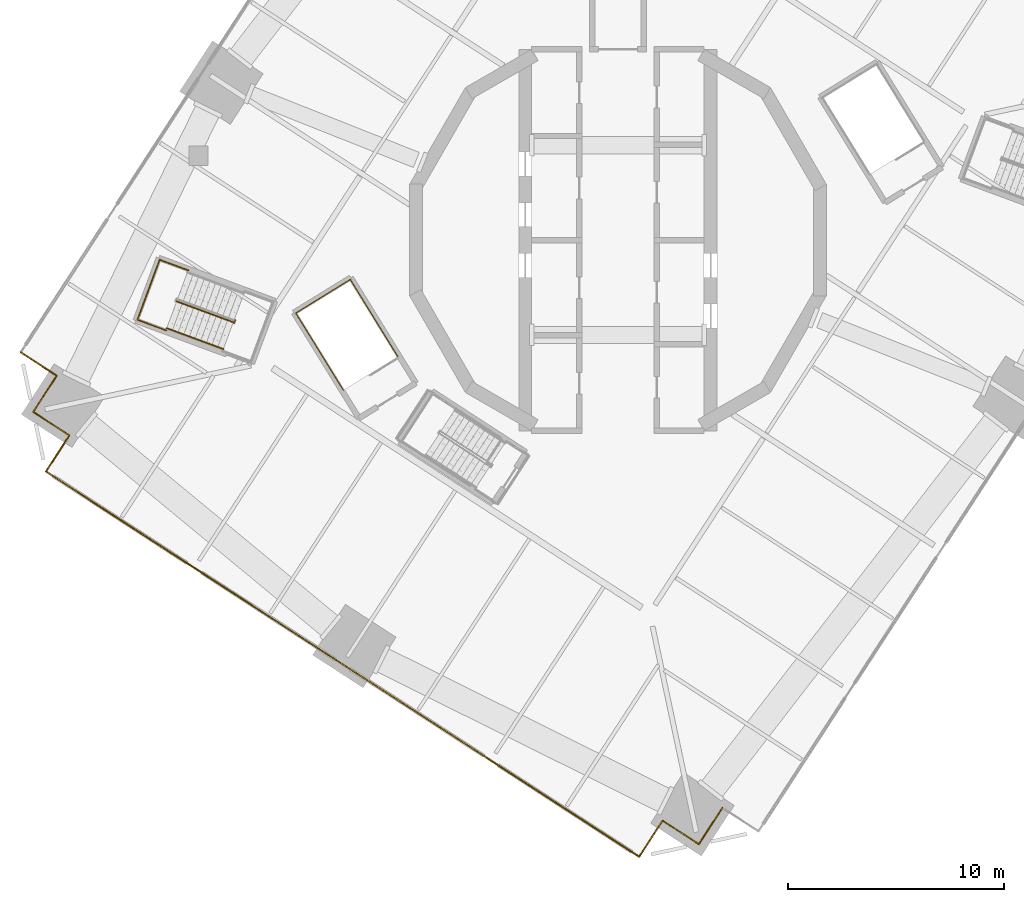
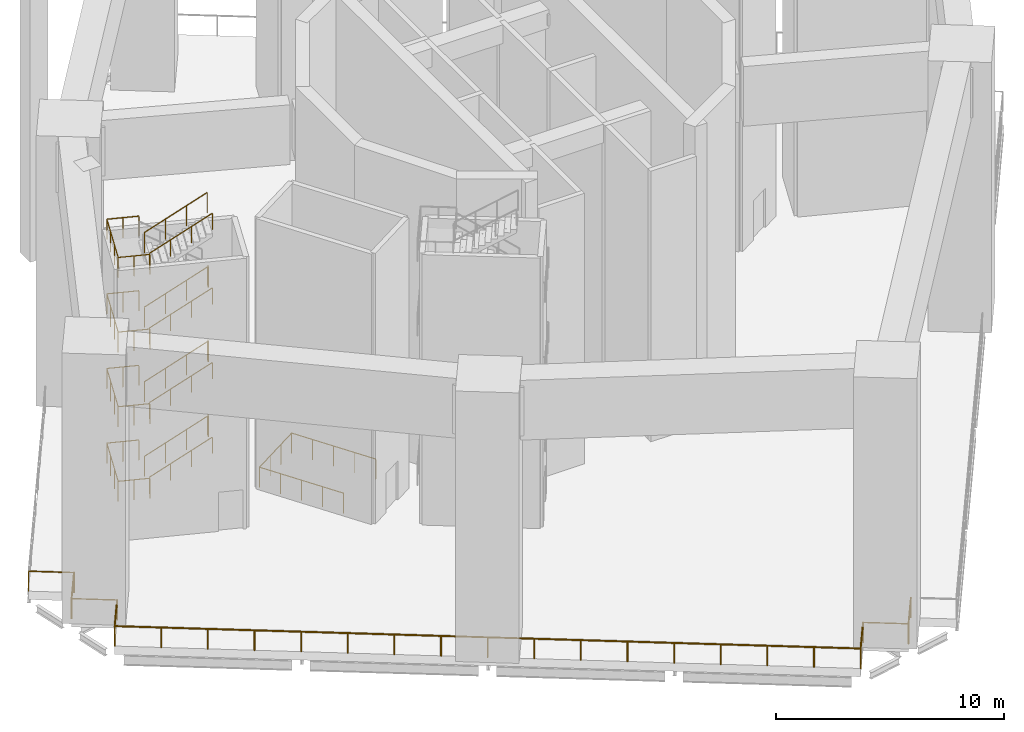
# One storey, part 10 of 16: 22 railings.
"""IFC4 building model written with IfcOpenShell, lengths in metres."""

from ifc_helpers import new_model, si_unit, direction, frame, origin, origin_2d, place, context, subcontext, project, spatial, circle, extrude, material, type_object, element, save


model = new_model("IFC4")

# Units and contexts
model_context = context("Model", 3, precision=1e-05, world=origin(), true_north=direction((0.0, 1.0)))
body_context = subcontext(model_context, "Body", "Model", "MODEL_VIEW")
ifc_project = project(units=[si_unit("LENGTHUNIT", "METRE"), si_unit("AREAUNIT", "SQUARE_METRE"), si_unit("VOLUMEUNIT", "CUBIC_METRE"), si_unit("PLANEANGLEUNIT", "RADIAN"), si_unit("MASSUNIT", "GRAM", prefix="KILO")], contexts=[model_context])

# Site, building, storey
site_placement = place(None, origin())
site = spatial("IfcSite", under=ifc_project, at=site_placement, CompositionType="ELEMENT")
building_placement = place(site_placement, origin())
building = spatial("IfcBuilding", under=site, at=building_placement, Name="Cantera Rosa Tower", CompositionType="ELEMENT")
storey_placement = place(building_placement, frame((0.0, 0.0, 290.10009765625)))
storey = spatial("IfcBuildingStorey", under=building, at=storey_placement, Name="L66", CompositionType="ELEMENT", Elevation=290.10009765625)

# Railings
ifc_material_1 = material(Name="Stainless steel and laminated glass", Category="steel")
railing_type_1 = type_object("IfcRailingType", Name="GUARD 1100", PredefinedType="BALUSTRADE", material=ifc_material_1)
railing_1_placement = place(storey_placement, frame((-27.7021484375, -5.201416015625, 0.0)))
element("IfcRailing", 1, at=railing_1_placement, inside=storey, type_object=railing_type_1, Name="PORTAL GUARD L66-8", PredefinedType="BALUSTRADE", context=body_context, shape_type="SweptSolid", body=[
    extrude(circle(Radius=0.030029296875, at=origin_2d()), frame((0.0, 0.0, 1.070068359375), z_axis=(0.838675004401, -0.544632203411, 0.0), x_axis=(0.544632203411, 0.838675004401, 0.0)), (0.0, 0.0, 1.0), 2.000244140625),
    extrude(circle(Radius=0.02490234375, at=origin_2d()), origin(), (0.0, 0.0, 1.0), 1.0400390625),
    extrude(circle(Radius=0.02490234375, at=origin_2d()), frame((1.677490234375, -1.08935546875, 0.0)), (0.0, 0.0, 1.0), 1.0400390625),
])
railing_2_placement = place(storey_placement, frame((-26.024658203125, -6.290771484375, 0.0)))
element("IfcRailing", 2, at=railing_2_placement, inside=storey, type_object=railing_type_1, Name="PORTAL GUARD L66-9", PredefinedType="BALUSTRADE", context=body_context, shape_type="SweptSolid", body=[
    extrude(circle(Radius=0.030029296875, at=origin_2d()), frame((0.0, 0.0, 1.070068359375), z_axis=(-0.54468796124, -0.838638792855, 0.0), x_axis=(0.838638792855, -0.54468796124, 0.0)), (0.0, 0.0, 1.0), 2.0),
    extrude(circle(Radius=0.02490234375, at=origin_2d()), origin(), (0.0, 0.0, 1.0), 1.0400390625),
    extrude(circle(Radius=0.02490234375, at=origin_2d()), frame((-1.08935546875, -1.67724609375, 0.0)), (0.0, 0.0, 1.0), 1.0400390625),
])
railing_3_placement = place(storey_placement, frame((-27.114013671875, -7.968017578125, 0.0)))
element("IfcRailing", 3, at=railing_3_placement, inside=storey, type_object=railing_type_1, Name="PORTAL GUARD L66-10", PredefinedType="BALUSTRADE", context=body_context, shape_type="SweptSolid", body=[
    extrude(circle(Radius=0.030029296875, at=origin_2d()), frame((0.0, 0.0, 1.070068359375), z_axis=(0.838638792855, -0.54468796124, 0.0), x_axis=(0.54468796124, 0.838638792855, 0.0)), (0.0, 0.0, 1.0), 2.0),
    extrude(circle(Radius=0.02490234375, at=origin_2d()), origin(), (0.0, 0.0, 1.0), 1.0400390625),
    extrude(circle(Radius=0.02490234375, at=origin_2d()), frame((1.67724609375, -1.08935546875, 0.0)), (0.0, 0.0, 1.0), 1.0400390625),
])
railing_4_placement = place(storey_placement, frame((-25.436767578125, -9.057373046875, 0.0)))
element("IfcRailing", 4, at=railing_4_placement, inside=storey, type_object=railing_type_1, Name="PORTAL GUARD L66-11", PredefinedType="BALUSTRADE", context=body_context, shape_type="SweptSolid", body=[
    extrude(circle(Radius=0.030029296875, at=origin_2d()), frame((0.0, 0.0, 1.070068359375), z_axis=(-0.544546340728, -0.838730757037, 0.0), x_axis=(0.838730757037, -0.544546340728, 0.0)), (0.0, 0.0, 1.0), 2.0),
    extrude(circle(Radius=0.02490234375, at=origin_2d()), origin(), (0.0, 0.0, 1.0), 1.0400390625),
    extrude(circle(Radius=0.02490234375, at=origin_2d()), frame((-1.089111328125, -1.677490234375, 0.0)), (0.0, 0.0, 1.0), 1.0400390625),
])
railing_5_placement = place(storey_placement, frame((-26.52587890625, -10.73486328125, 0.0)))
element("IfcRailing", 5, at=railing_5_placement, inside=storey, type_object=railing_type_1, Name="PORTAL GUARD L66-12", PredefinedType="BALUSTRADE", context=body_context, shape_type="SweptSolid", body=[
    extrude(circle(Radius=0.030029296875, at=origin_2d()), frame((0.0, 0.0, 1.070068359375), z_axis=(0.838677545839, -0.54462828985, 0.0), x_axis=(0.54462828985, 0.838677545839, 0.0)), (0.0, 0.0, 1.0), 8.19970703125),
    extrude(circle(Radius=0.02490234375, at=origin_2d()), origin(), (0.0, 0.0, 1.0), 1.0400390625),
    extrude(circle(Radius=0.02490234375, at=origin_2d()), frame((1.71923828125, -1.116455078125, 0.0)), (0.0, 0.0, 1.0), 1.0400390625),
    extrude(circle(Radius=0.02490234375, at=origin_2d()), frame((3.4384765625, -2.23291015625, 0.0)), (0.0, 0.0, 1.0), 1.0400390625),
    extrude(circle(Radius=0.02490234375, at=origin_2d()), frame((5.15771484375, -3.349365234375, 0.0)), (0.0, 0.0, 1.0), 1.0400390625),
    extrude(circle(Radius=0.02490234375, at=origin_2d()), frame((6.876953125, -4.4658203125, 0.0)), (0.0, 0.0, 1.0), 1.0400390625),
])
railing_6_placement = place(storey_placement, frame((-19.64892578125, -15.20068359375, 0.0)))
element("IfcRailing", 6, at=railing_6_placement, inside=storey, type_object=railing_type_1, Name="PORTAL GUARD L66-13", PredefinedType="BALUSTRADE", context=body_context, shape_type="SweptSolid", body=[
    extrude(circle(Radius=0.030029296875, at=origin_2d()), frame((0.0, 0.0, 1.070068359375), z_axis=(0.838669833889, -0.544640165361, 0.0), x_axis=(0.544640165361, 0.838669833889, 0.0)), (0.0, 0.0, 1.0), 24.60009765625),
    extrude(circle(Radius=0.02490234375, at=origin_2d()), origin(), (0.0, 0.0, 1.0), 1.0400390625),
    extrude(circle(Radius=0.02490234375, at=origin_2d()), frame((1.71923828125, -1.116455078125, 0.0)), (0.0, 0.0, 1.0), 1.0400390625),
    extrude(circle(Radius=0.02490234375, at=origin_2d()), frame((3.4384765625, -2.23291015625, 0.0)), (0.0, 0.0, 1.0), 1.0400390625),
    extrude(circle(Radius=0.02490234375, at=origin_2d()), frame((5.15771484375, -3.349609375, 0.0)), (0.0, 0.0, 1.0), 1.0400390625),
    extrude(circle(Radius=0.02490234375, at=origin_2d()), frame((6.877197265625, -4.466064453125, 0.0)), (0.0, 0.0, 1.0), 1.0400390625),
    extrude(circle(Radius=0.02490234375, at=origin_2d()), frame((8.596435546875, -5.58251953125, 0.0)), (0.0, 0.0, 1.0), 1.0400390625),
    extrude(circle(Radius=0.02490234375, at=origin_2d()), frame((10.315673828125, -6.69921875, 0.0)), (0.0, 0.0, 1.0), 1.0400390625),
    extrude(circle(Radius=0.02490234375, at=origin_2d()), frame((12.034912109375, -7.815673828125, 0.0)), (0.0, 0.0, 1.0), 1.0400390625),
    extrude(circle(Radius=0.02490234375, at=origin_2d()), frame((13.754150390625, -8.93212890625, 0.0)), (0.0, 0.0, 1.0), 1.0400390625),
    extrude(circle(Radius=0.02490234375, at=origin_2d()), frame((15.4736328125, -10.048583984375, 0.0)), (0.0, 0.0, 1.0), 1.0400390625),
    extrude(circle(Radius=0.02490234375, at=origin_2d()), frame((17.19287109375, -11.1650390625, 0.0)), (0.0, 0.0, 1.0), 1.0400390625),
    extrude(circle(Radius=0.02490234375, at=origin_2d()), frame((18.912109375, -12.28173828125, 0.0)), (0.0, 0.0, 1.0), 1.0400390625),
    extrude(circle(Radius=0.02490234375, at=origin_2d()), frame((20.63134765625, -13.398193359375, 0.0)), (0.0, 0.0, 1.0), 1.0400390625),
])
railing_7_placement = place(storey_placement, frame((0.982421875, -28.598876953125, 0.0)))
element("IfcRailing", 7, at=railing_7_placement, inside=storey, type_object=railing_type_1, Name="PORTAL GUARD L66-14", PredefinedType="BALUSTRADE", context=body_context, shape_type="SweptSolid", body=[
    extrude(circle(Radius=0.030029296875, at=origin_2d()), frame((0.0, 0.0, 1.070068359375), z_axis=(0.54468796124, 0.838638792855, 0.0), x_axis=(-0.838638792855, 0.54468796124, 0.0)), (0.0, 0.0, 1.0), 2.0),
    extrude(circle(Radius=0.02490234375, at=origin_2d()), origin(), (0.0, 0.0, 1.0), 1.0400390625),
    extrude(circle(Radius=0.02490234375, at=origin_2d()), frame((1.08935546875, 1.67724609375, 0.0)), (0.0, 0.0, 1.0), 1.0400390625),
])
railing_8_placement = place(storey_placement, frame((2.07177734375, -26.921630859375, 0.0)))
element("IfcRailing", 8, at=railing_8_placement, inside=storey, type_object=railing_type_1, Name="PORTAL GUARD L66-15", PredefinedType="BALUSTRADE", context=body_context, shape_type="SweptSolid", body=[
    extrude(circle(Radius=0.030029296875, at=origin_2d()), frame((0.0, 0.0, 1.070068359375), z_axis=(0.8386945545, -0.54460209718, 0.0), x_axis=(0.54460209718, 0.8386945545, 0.0)), (0.0, 0.0, 1.0), 1.999755859375),
    extrude(circle(Radius=0.02490234375, at=origin_2d()), origin(), (0.0, 0.0, 1.0), 1.0400390625),
    extrude(circle(Radius=0.02490234375, at=origin_2d()), frame((1.67724609375, -1.089111328125, 0.0)), (0.0, 0.0, 1.0), 1.0400390625),
])
railing_9_placement = place(storey_placement, frame((3.7490234375, -28.0107421875, 0.0)))
element("IfcRailing", 9, at=railing_9_placement, inside=storey, type_object=railing_type_1, Name="PORTAL GUARD L66-16", PredefinedType="BALUSTRADE", context=body_context, shape_type="SweptSolid", body=[
    extrude(circle(Radius=0.030029296875, at=origin_2d()), frame((0.0, 0.0, 1.070068359375), z_axis=(0.54468796124, 0.838638792855, 0.0), x_axis=(-0.838638792855, 0.54468796124, 0.0)), (0.0, 0.0, 1.0), 2.0),
    extrude(circle(Radius=0.02490234375, at=origin_2d()), origin(), (0.0, 0.0, 1.0), 1.0400390625),
    extrude(circle(Radius=0.02490234375, at=origin_2d()), frame((1.08935546875, 1.67724609375, 0.0)), (0.0, 0.0, 1.0), 1.0400390625),
])
ifc_material_2 = material(Name="Steel S355J2 (EN 10025-2)", Category="steel")
railing_type_2 = type_object("IfcRailingType", Name="STAIR GUARD 1100", PredefinedType="GUARDRAIL", material=ifc_material_2)
railing_10_placement = place(storey_placement, frame((-10.20751953125, -5.40185546875, 0.0)))
element("IfcRailing", 10, at=railing_10_placement, inside=storey, type_object=railing_type_2, Name="L66 ST-52 top well guard 2", PredefinedType="GUARDRAIL", context=body_context, shape_type="SweptSolid", body=[
    extrude(circle(Radius=0.02392578125, at=origin_2d()), frame((0.0, 0.0, 1.076171875), z_axis=(-0.524976478809, 0.851116735059, 0.0), x_axis=(-0.851116735059, -0.524976478809, 0.0)), (0.0, 0.0, 1.0), 4.197998046875),
    extrude(circle(Radius=0.02392578125, at=origin_2d()), frame((-2.203857421875, 3.572998046875, 1.076171875), z_axis=(-0.851132917336, -0.524950242429, 0.0), x_axis=(0.524950242429, -0.851132917336, 0.0)), (0.0, 0.0, 1.0), 2.969970703125),
    extrude(circle(Radius=0.02392578125, at=origin_2d()), frame((-4.731689453125, 2.013916015625, 1.076171875), z_axis=(0.524976478809, -0.851116735059, 0.0), x_axis=(0.851116735059, 0.524976478809, 0.0)), (0.0, 0.0, 1.0), 4.197998046875),
    extrude(circle(Radius=0.02099609375, at=origin_2d()), origin(), (0.0, 0.0, 1.0), 1.052001953125),
    extrude(circle(Radius=0.02099609375, at=origin_2d()), frame((-0.551025390625, 0.893310546875, 0.0)), (0.0, 0.0, 1.0), 1.052001953125),
    extrude(circle(Radius=0.02099609375, at=origin_2d()), frame((-1.10205078125, 1.78662109375, 0.0)), (0.0, 0.0, 1.0), 1.052001953125),
    extrude(circle(Radius=0.02099609375, at=origin_2d()), frame((-1.65283203125, 2.6796875, 0.0)), (0.0, 0.0, 1.0), 1.052001953125),
    extrude(circle(Radius=0.02099609375, at=origin_2d()), frame((-2.203857421875, 3.572998046875, 0.0)), (0.0, 0.0, 1.0), 1.052001953125),
    extrude(circle(Radius=0.02099609375, at=origin_2d()), frame((-3.04638671875, 3.05322265625, 0.0)), (0.0, 0.0, 1.0), 1.052001953125),
    extrude(circle(Radius=0.02099609375, at=origin_2d()), frame((-3.88916015625, 2.53369140625, 0.0)), (0.0, 0.0, 1.0), 1.052001953125),
    extrude(circle(Radius=0.02099609375, at=origin_2d()), frame((-4.731689453125, 2.013916015625, 0.0)), (0.0, 0.0, 1.0), 1.052001953125),
    extrude(circle(Radius=0.02099609375, at=origin_2d()), frame((-4.1806640625, 1.12060546875, 0.0)), (0.0, 0.0, 1.0), 1.052001953125),
    extrude(circle(Radius=0.02099609375, at=origin_2d()), frame((-3.6298828125, 0.2275390625, 0.0)), (0.0, 0.0, 1.0), 1.052001953125),
    extrude(circle(Radius=0.02099609375, at=origin_2d()), frame((-3.078857421875, -0.665771484375, 0.0)), (0.0, 0.0, 1.0), 1.052001953125),
    extrude(circle(Radius=0.02099609375, at=origin_2d()), frame((-2.52783203125, -1.55908203125, 0.0)), (0.0, 0.0, 1.0), 1.052001953125),
])
for number, where, name in (
    (11, (-20.462158203125, -2.8408203125, 2.181640625), "L66 ST-63 stair guard 2"),
    (12, (-20.462158203125, -2.8408203125, 6.181640625), "L66 ST-63 stair guard 4"),
    (13, (-20.462158203125, -2.8408203125, 10.181640625), "L66 ST-63 stair guard 6"),
):
    element("IfcRailing", number, at=place(storey_placement, frame(where)), inside=storey, type_object=railing_type_2, Name=name, PredefinedType="GUARDRAIL", context=body_context, shape_type="SweptSolid", body=[
        extrude(circle(Radius=0.02392578125, at=origin_2d()), frame((0.0, 0.0, 1.076171875), z_axis=(0.78640732652, -0.291410935111, 0.544649597166), x_axis=(0.347470544015, 0.937690898453, 0.0)), (0.0, 0.0, 1.0), 3.338623046875),
        extrude(circle(Radius=0.02392578125, at=origin_2d()), frame((2.62548828125, -0.972900390625, 2.89453125), z_axis=(0.671593765389, -0.740919573429, 0.0), x_axis=(0.740919573429, 0.671593765389, 0.0)), (0.0, 0.0, 1.0), 0.056396484375),
        extrude(circle(Radius=0.02392578125, at=origin_2d()), frame((2.663330078125, -1.0146484375, 2.89453125), z_axis=(0.348268249601, 0.937394914814, 0.0), x_axis=(-0.937394914814, 0.348268249601, 0.0)), (0.0, 0.0, 1.0), 0.14990234375),
        extrude(circle(Radius=0.02099609375, at=origin_2d()), origin(), (0.0, 0.0, 1.0), 1.052001953125),
        extrude(circle(Radius=0.02099609375, at=origin_2d()), frame((0.875244140625, -0.32421875, 0.606201171875)), (0.0, 0.0, 1.0), 1.052001953125),
        extrude(circle(Radius=0.02099609375, at=origin_2d()), frame((1.750244140625, -0.648681640625, 1.212158203125)), (0.0, 0.0, 1.0), 1.052001953125),
        extrude(circle(Radius=0.02099609375, at=origin_2d()), frame((2.62548828125, -0.972900390625, 1.818359375)), (0.0, 0.0, 1.0), 1.052001953125),
        extrude(circle(Radius=0.02099609375, at=origin_2d()), frame((2.663330078125, -1.0146484375, 1.818359375)), (0.0, 0.0, 1.0), 1.052001953125),
        extrude(circle(Radius=0.02099609375, at=origin_2d()), frame((2.715576171875, -0.8740234375, 1.818359375)), (0.0, 0.0, 1.0), 1.052001953125),
    ])
railing_11_placement = place(storey_placement, frame((-20.462158203125, -2.8408203125, 14.181640625)))
element("IfcRailing", 14, at=railing_11_placement, inside=storey, type_object=railing_type_2, Name="L66 ST-63 stair guard 8", PredefinedType="GUARDRAIL", context=body_context, shape_type="SweptSolid", body=[
    extrude(circle(Radius=0.02392578125, at=origin_2d()), frame((0.0, 0.0, 1.076171875), z_axis=(0.78640732652, -0.291410935111, 0.544649597166), x_axis=(0.347470544015, 0.937690898453, 0.0)), (0.0, 0.0, 1.0), 3.338623046875),
    extrude(circle(Radius=0.02099609375, at=origin_2d()), origin(), (0.0, 0.0, 1.0), 1.052001953125),
    extrude(circle(Radius=0.02099609375, at=origin_2d()), frame((0.875244140625, -0.32421875, 0.606201171875)), (0.0, 0.0, 1.0), 1.052001953125),
    extrude(circle(Radius=0.02099609375, at=origin_2d()), frame((1.750244140625, -0.648681640625, 1.212158203125)), (0.0, 0.0, 1.0), 1.052001953125),
    extrude(circle(Radius=0.02099609375, at=origin_2d()), frame((2.62548828125, -0.972900390625, 1.818359375)), (0.0, 0.0, 1.0), 1.052001953125),
])
for number, where, name in (
    (15, (-19.91796875, -1.406494140625, 2.0), "L66 ST-63 stair guard 10"),
    (16, (-19.91796875, -1.406494140625, 6.0), "L66 ST-63 stair guard 12"),
    (17, (-19.91796875, -1.406494140625, 10.0), "L66 ST-63 stair guard 14"),
    (18, (-19.91796875, -1.406494140625, 14.0), "L66 ST-63 stair guard 16"),
):
    element("IfcRailing", number, at=place(storey_placement, frame(where)), inside=storey, type_object=railing_type_2, Name=name, PredefinedType="GUARDRAIL", context=body_context, shape_type="SweptSolid", body=[
        extrude(circle(Radius=0.02392578125, at=origin_2d()), frame((0.0, 0.0, 1.076171875), z_axis=(-0.937670030811, 0.347526852657, 0.0), x_axis=(-0.347526852657, -0.937670030811, 0.0)), (0.0, 0.0, 1.0), 1.421875),
        extrude(circle(Radius=0.02392578125, at=origin_2d()), frame((-1.333251953125, 0.494140625, 1.076171875), z_axis=(-0.347472311651, -0.937690243436, 0.0), x_axis=(0.937690243436, -0.347472311651, 0.0)), (0.0, 0.0, 1.0), 2.969970703125),
        extrude(circle(Radius=0.02392578125, at=origin_2d()), frame((-2.365234375, -2.290771484375, 1.076171875), z_axis=(0.937670030811, -0.347526852657, 0.0), x_axis=(0.347526852657, 0.937670030811, 0.0)), (0.0, 0.0, 1.0), 1.421875),
        extrude(circle(Radius=0.02099609375, at=origin_2d()), origin(), (0.0, 0.0, 1.0), 1.052001953125),
        extrude(circle(Radius=0.02099609375, at=origin_2d()), frame((-0.66650390625, 0.2470703125, 0.0)), (0.0, 0.0, 1.0), 1.052001953125),
        extrude(circle(Radius=0.02099609375, at=origin_2d()), frame((-1.333251953125, 0.494140625, 0.0)), (0.0, 0.0, 1.0), 1.052001953125),
        extrude(circle(Radius=0.02099609375, at=origin_2d()), frame((-1.67724609375, -0.43408203125, 0.0)), (0.0, 0.0, 1.0), 1.052001953125),
        extrude(circle(Radius=0.02099609375, at=origin_2d()), frame((-2.021240234375, -1.362548828125, 0.0)), (0.0, 0.0, 1.0), 1.052001953125),
        extrude(circle(Radius=0.02099609375, at=origin_2d()), frame((-2.365234375, -2.290771484375, 0.0)), (0.0, 0.0, 1.0), 1.052001953125),
        extrude(circle(Radius=0.02099609375, at=origin_2d()), frame((-1.69873046875, -2.537841796875, 0.0)), (0.0, 0.0, 1.0), 1.052001953125),
        extrude(circle(Radius=0.02099609375, at=origin_2d()), frame((-1.031982421875, -2.784912109375, 0.0)), (0.0, 0.0, 1.0), 1.052001953125),
    ])
ifc_material_3 = material(Name="Steel S355J2 (EN 10025-2)", Category="steel")
railing_type_3 = type_object("IfcRailingType", Name="STAIR HANDRAIL 900", PredefinedType="HANDRAIL", material=ifc_material_3)
for number, where, name in (
    (19, (-20.9228515625, -4.084228515625, 2.181640625), "L66 ST-63 stair handrail 2"),
    (20, (-20.9228515625, -4.084228515625, 6.181640625), "L66 ST-63 stair handrail 4"),
    (21, (-20.9228515625, -4.084228515625, 10.181640625), "L66 ST-63 stair handrail 6"),
    (22, (-20.9228515625, -4.084228515625, 14.181640625), "L66 ST-63 stair handrail 8"),
):
    element("IfcRailing", number, at=place(storey_placement, frame(where)), inside=storey, type_object=railing_type_3, Name=name, PredefinedType="HANDRAIL", context=body_context, shape_type="SweptSolid", body=[
        extrude(circle(Radius=0.02392578125, at=origin_2d()), frame((0.0, 0.0, 0.8759765625), z_axis=(0.78640732652, -0.291410935111, 0.544649597166), x_axis=(0.347470544015, 0.937690898453, 0.0)), (0.0, 0.0, 1.0), 3.338623046875),
        extrude(circle(Radius=0.02099609375, at=origin_2d()), origin(), (0.0, 0.0, 1.0), 0.851806640625),
        extrude(circle(Radius=0.02099609375, at=origin_2d()), frame((0.875244140625, -0.32421875, 0.606201171875)), (0.0, 0.0, 1.0), 0.851806640625),
        extrude(circle(Radius=0.02099609375, at=origin_2d()), frame((1.750244140625, -0.648681640625, 1.212158203125)), (0.0, 0.0, 1.0), 0.851806640625),
        extrude(circle(Radius=0.02099609375, at=origin_2d()), frame((2.62548828125, -0.972900390625, 1.818359375)), (0.0, 0.0, 1.0), 0.851806640625),
    ])

save(model, "model.ifc")
